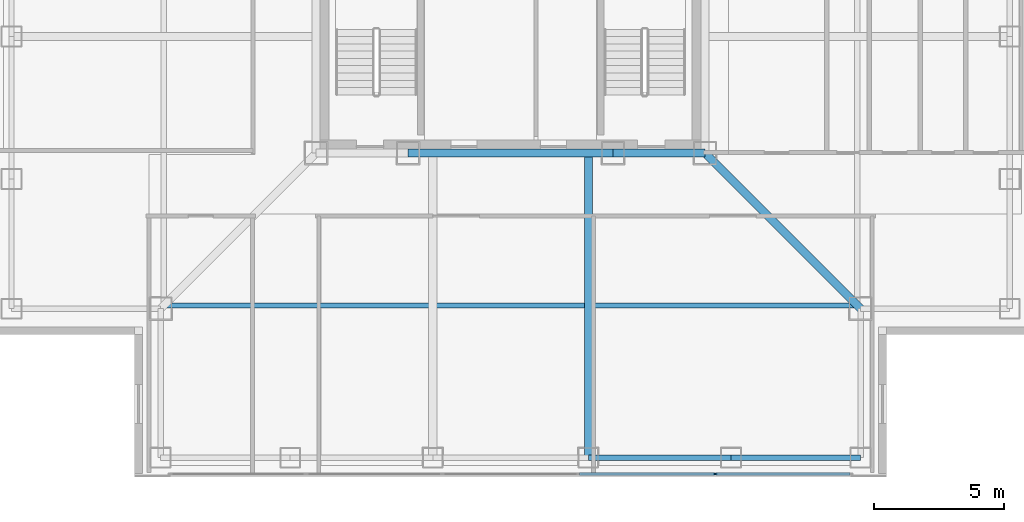
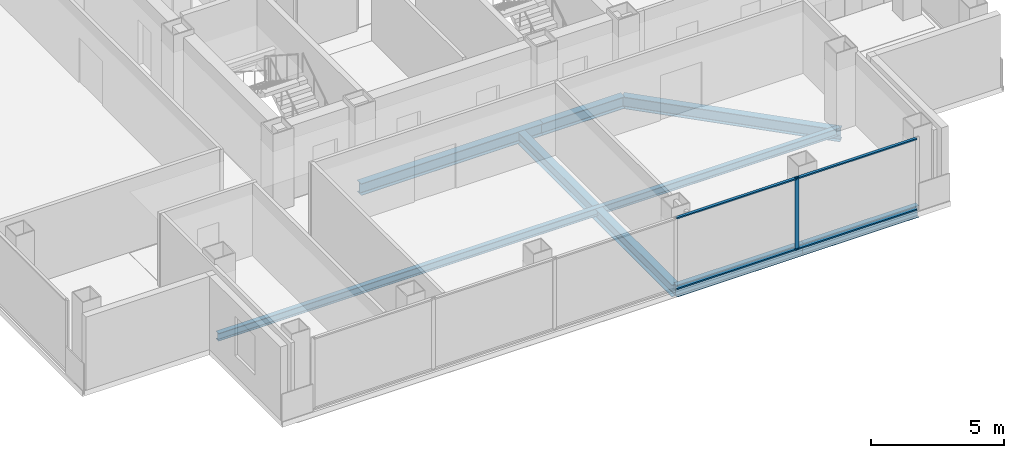
# One storey, part 3 of 18: 7 beams, 5 members, 1 element without a shape of its own.
"""IFC4 building model written with IfcOpenShell, lengths in metres."""

from ifc_helpers import new_model, si_unit, direction, frame, origin, origin_2d, place, context, subcontext, project, spatial, rectangle, i_section, extrude, material, layer, layer_set, material_profile, profile_set, type_object, element, aggregate, save


model = new_model("IFC4")

# Units and contexts
model_context = context("Model", 3, precision=1e-05, world=origin(), true_north=direction((0.0, 1.0)))
body_context = subcontext(model_context, "Body", "Model", "MODEL_VIEW")
ifc_project = project(units=[si_unit("LENGTHUNIT", "METRE"), si_unit("AREAUNIT", "SQUARE_METRE"), si_unit("VOLUMEUNIT", "CUBIC_METRE"), si_unit("PLANEANGLEUNIT", "RADIAN"), si_unit("MASSUNIT", "GRAM", prefix="KILO")], contexts=[model_context])

# Site, building, storey
site_placement = place(None, origin())
site = spatial("IfcSite", under=ifc_project, at=site_placement, CompositionType="ELEMENT")
building_placement = place(site_placement, origin())
building = spatial("IfcBuilding", under=site, at=building_placement, Name="Trevonay Congress Spire", CompositionType="ELEMENT")
storey_placement = place(building_placement, frame((0.0, 0.0, 198.60009765625)))
storey = spatial("IfcBuildingStorey", under=building, at=storey_placement, Name="L51", CompositionType="ELEMENT", Elevation=198.60009765625)

# Beams
ifc_material_1 = material(Name="Steel ASTM A572 Grade 50", Category="steel")
ifc_material_profile_1 = material_profile(ifc_material_1, i_section(OverallWidth=0.31201171875, OverallDepth=0.54296875, WebThickness=0.0126953125, FlangeThickness=0.020263671875, FilletRadius=0.014892578125, at=origin_2d()), Name="W530x150")
ifc_profile_set_1 = profile_set([ifc_material_profile_1], Name="Steel ASTM A572 Grade 50")
beam_type_1 = type_object("IfcBeamType", Name="BM-GIRD-W530X150", PredefinedType="BEAM", material=ifc_profile_set_1)
beam_1_placement = place(storey_placement, frame((-3.949951171875, -7.5, -0.51171875), z_axis=(1.0, 0.0, 0.0), x_axis=(0.0, 1.0, 0.0)))
element("IfcBeam", 1, at=beam_1_placement, inside=storey, type_object=beam_type_1, Name="L51 structural beam BM-L51-CR-S2", PredefinedType="BEAM", context=body_context, shape_type="SweptSolid", body=[
    extrude(i_section(OverallWidth=0.31201171875, OverallDepth=0.54296875, WebThickness=0.0126953125, FlangeThickness=0.020263671875, FilletRadius=0.014892578125, at=origin_2d()), origin(), (0.0, 0.0, 1.0), 7.89990234375),
])
beam_2_placement = place(storey_placement, frame((3.949951171875, -7.5, -0.51171875), z_axis=(1.0, 0.0, 0.0), x_axis=(0.0, 1.0, 0.0)))
element("IfcBeam", 2, at=beam_2_placement, inside=storey, type_object=beam_type_1, Name="L51 structural beam BM-L51-CR-S3", PredefinedType="BEAM", context=body_context, shape_type="SweptSolid", body=[
    extrude(i_section(OverallWidth=0.31201171875, OverallDepth=0.54296875, WebThickness=0.0126953125, FlangeThickness=0.020263671875, FilletRadius=0.014892578125, at=origin_2d()), origin(), (0.0, 0.0, 1.0), 3.550048828125),
])
beam_3_placement = place(storey_placement, frame((7.5, -7.5, -0.51171875), z_axis=(0.707106781187, -0.707106781187, 0.0), x_axis=(0.707106781187, 0.707106781187, 0.0)))
element("IfcBeam", 3, at=beam_3_placement, inside=storey, type_object=beam_type_1, Name="L51 structural beam BM-L51-CDSE", PredefinedType="BEAM", context=body_context, shape_type="SweptSolid", body=[
    extrude(i_section(OverallWidth=0.31201171875, OverallDepth=0.54296875, WebThickness=0.0126953125, FlangeThickness=0.020263671875, FilletRadius=0.014892578125, at=origin_2d()), origin(), (0.0, 0.0, 1.0), 8.4853515625),
])
beam_4_placement = place(storey_placement, frame((3.0, -7.5, -0.51171875), z_axis=(0.0, -1.0, 0.0), x_axis=(1.0, 0.0, 0.0)))
element("IfcBeam", 4, at=beam_4_placement, inside=storey, type_object=beam_type_1, Name="L51 structural beam BM-L51-GS-P", PredefinedType="BEAM", context=body_context, shape_type="SweptSolid", body=[
    extrude(i_section(OverallWidth=0.31201171875, OverallDepth=0.54296875, WebThickness=0.0126953125, FlangeThickness=0.020263671875, FilletRadius=0.014892578125, at=origin_2d()), origin(), (0.0, 0.0, 1.0), 11.75),
])
ifc_material_profile_2 = material_profile(ifc_material_1, i_section(OverallWidth=0.2119140625, OverallDepth=0.5439453125, WebThickness=0.01318359375, FlangeThickness=0.021240234375, FilletRadius=0.014892578125, at=origin_2d()), Name="W530x123")
ifc_profile_set_2 = profile_set([ifc_material_profile_2], Name="Steel ASTM A572 Grade 50")
beam_type_2 = type_object("IfcBeamType", Name="BM-RING-W530X123", PredefinedType="BEAM", material=ifc_profile_set_2)
beam_5_placement = place(storey_placement, frame((3.0, -19.25, -0.51220703125), z_axis=(1.0, 0.0, 0.0), x_axis=(0.0, 1.0, 0.0)))
element("IfcBeam", 5, at=beam_5_placement, inside=storey, type_object=beam_type_2, Name="L51 structural beam BM-L51-PS4", PredefinedType="BEAM", context=body_context, shape_type="SweptSolid", body=[
    extrude(i_section(OverallWidth=0.2119140625, OverallDepth=0.5439453125, WebThickness=0.01318359375, FlangeThickness=0.021240234375, FilletRadius=0.014892578125, at=origin_2d()), origin(), (0.0, 0.0, 1.0), 5.5),
])
beam_6_placement = place(storey_placement, frame((8.5, -19.25, -0.51220703125), z_axis=(1.0, 0.0, 0.0), x_axis=(0.0, 1.0, 0.0)))
element("IfcBeam", 6, at=beam_6_placement, inside=storey, type_object=beam_type_2, Name="L51 structural beam BM-L51-PS5", PredefinedType="BEAM", context=body_context, shape_type="SweptSolid", body=[
    extrude(i_section(OverallWidth=0.2119140625, OverallDepth=0.5439453125, WebThickness=0.01318359375, FlangeThickness=0.021240234375, FilletRadius=0.014892578125, at=origin_2d()), origin(), (0.0, 0.0, 1.0), 5.0),
])

# Curtain wall, members
ifc_material_2 = material(Name="Pale Anodised Aluminium EN AW-6063-T6", Category="aluminium")
ifc_layer = layer(ifc_material_2, 0.169921875, Name="Pale Anodised Aluminium EN AW-6063-T6")
ifc_layer_set = layer_set([ifc_layer], Name="Pale Anodised Aluminium EN AW-6063-T6")
curtain_wall_type = type_object("IfcCurtainWallType", Name="CW-SYS04-CORP-PALE-METAL", PredefinedType="NOTDEFINED", material=ifc_layer_set)
curtain_wall_placement = place(storey_placement, origin())
curtain_wall = element("IfcCurtainWall", 7, at=curtain_wall_placement, inside=storey, type_object=curtain_wall_type, Name="L51 S unitised curtain wall", PredefinedType="NOTDEFINED")
ifc_material_profile_3 = material_profile(ifc_material_2, rectangle(XDim=0.06005859375, YDim=0.159912109375, at=origin_2d()), Name="CW-MULLION-160-ALUMINIUM")
ifc_profile_set_3 = profile_set([ifc_material_profile_3], Name="Pale Anodised Aluminium EN AW-6063-T6")
member_type_1 = type_object("IfcMemberType", Name="CW-MULLION-160-ALUMINIUM", PredefinedType="MULLION", material=ifc_profile_set_3)
member_1_placement = place(storey_placement, frame((7.889892578125, -19.8798828125, 0.0), z_axis=(0.0, 0.0, 1.0), x_axis=(0.0, 1.0, 0.0)))
member_1 = element("IfcMember", 8, at=member_1_placement, type_object=member_type_1, Name="CW04 mullion 5", PredefinedType="MULLION", context=body_context, shape_type="SweptSolid", body=[
    extrude(rectangle(XDim=0.06005859375, YDim=0.159912109375, at=origin_2d()), origin(), (0.0, 0.0, 1.0), 3.35986328125),
])
ifc_material_profile_4 = material_profile(ifc_material_2, rectangle(XDim=0.1201171875, YDim=0.06005859375, at=origin_2d()), Name="CW-TRANSOM-120-ALUMINIUM")
ifc_profile_set_4 = profile_set([ifc_material_profile_4], Name="Pale Anodised Aluminium EN AW-6063-T6")
member_type_2 = type_object("IfcMemberType", Name="CW-TRANSOM-120-ALUMINIUM", PredefinedType="USERDEFINED", material=ifc_profile_set_4)
member_2_placement = place(storey_placement, frame((2.659912109375, -19.8798828125, 0.059814453125), z_axis=(1.0, 0.0, 0.0), x_axis=(0.0, 1.0, 0.0)))
member_2 = element("IfcMember", 9, at=member_2_placement, type_object=member_type_2, Name="CW04 transom 4.1", ObjectType="TRANSOM", PredefinedType="USERDEFINED", context=body_context, shape_type="SweptSolid", body=[
    extrude(rectangle(XDim=0.1201171875, YDim=0.06005859375, at=origin_2d()), origin(), (0.0, 0.0, 1.0), 5.2001953125),
])
member_3_placement = place(storey_placement, frame((2.659912109375, -19.8798828125, 3.2998046875), z_axis=(1.0, 0.0, 0.0), x_axis=(0.0, 1.0, 0.0)))
member_3 = element("IfcMember", 10, at=member_3_placement, type_object=member_type_2, Name="CW04 transom 4.2", ObjectType="TRANSOM", PredefinedType="USERDEFINED", context=body_context, shape_type="SweptSolid", body=[
    extrude(rectangle(XDim=0.1201171875, YDim=0.06005859375, at=origin_2d()), origin(), (0.0, 0.0, 1.0), 5.2001953125),
])
member_4_placement = place(storey_placement, frame((7.919921875, -19.8798828125, 0.059814453125), z_axis=(1.0, 0.0, 0.0), x_axis=(0.0, 1.0, 0.0)))
member_4 = element("IfcMember", 11, at=member_4_placement, type_object=member_type_2, Name="CW04 transom 5.1", ObjectType="TRANSOM", PredefinedType="USERDEFINED", context=body_context, shape_type="SweptSolid", body=[
    extrude(rectangle(XDim=0.1201171875, YDim=0.06005859375, at=origin_2d()), origin(), (0.0, 0.0, 1.0), 5.170166015625),
])
member_5_placement = place(storey_placement, frame((7.919921875, -19.8798828125, 3.2998046875), z_axis=(1.0, 0.0, 0.0), x_axis=(0.0, 1.0, 0.0)))
member_5 = element("IfcMember", 12, at=member_5_placement, type_object=member_type_2, Name="CW04 transom 5.2", ObjectType="TRANSOM", PredefinedType="USERDEFINED", context=body_context, shape_type="SweptSolid", body=[
    extrude(rectangle(XDim=0.1201171875, YDim=0.06005859375, at=origin_2d()), origin(), (0.0, 0.0, 1.0), 5.170166015625),
])
aggregate(curtain_wall, [member_1, member_2, member_3, member_4, member_5])

# Beam
ifc_material_profile_5 = material_profile(ifc_material_1, i_section(OverallWidth=0.205078125, OverallDepth=0.35400390625, WebThickness=0.009521484375, FlangeThickness=0.016845703125, FilletRadius=0.011962890625, at=origin_2d()), Name="W360x79")
ifc_profile_set_5 = profile_set([ifc_material_profile_5], Name="Steel ASTM A572 Grade 50")
beam_type_3 = type_object("IfcBeamType", Name="JS-COMP-W360X79", PredefinedType="JOIST", material=ifc_profile_set_5)
beam_7_placement = place(storey_placement, frame((-13.5, -13.375, -0.4169921875), z_axis=(1.0, 0.0, 0.0), x_axis=(0.0, 1.0, 0.0)))
element("IfcBeam", 13, at=beam_7_placement, inside=storey, type_object=beam_type_3, Name="L51 structural beam JS-L51-RING-S", PredefinedType="JOIST", context=body_context, shape_type="SweptSolid", body=[
    extrude(i_section(OverallWidth=0.205078125, OverallDepth=0.35400390625, WebThickness=0.009521484375, FlangeThickness=0.016845703125, FilletRadius=0.011962890625, at=origin_2d()), origin(), (0.0, 0.0, 1.0), 27.0),
])

save(model, "model.ifc")
